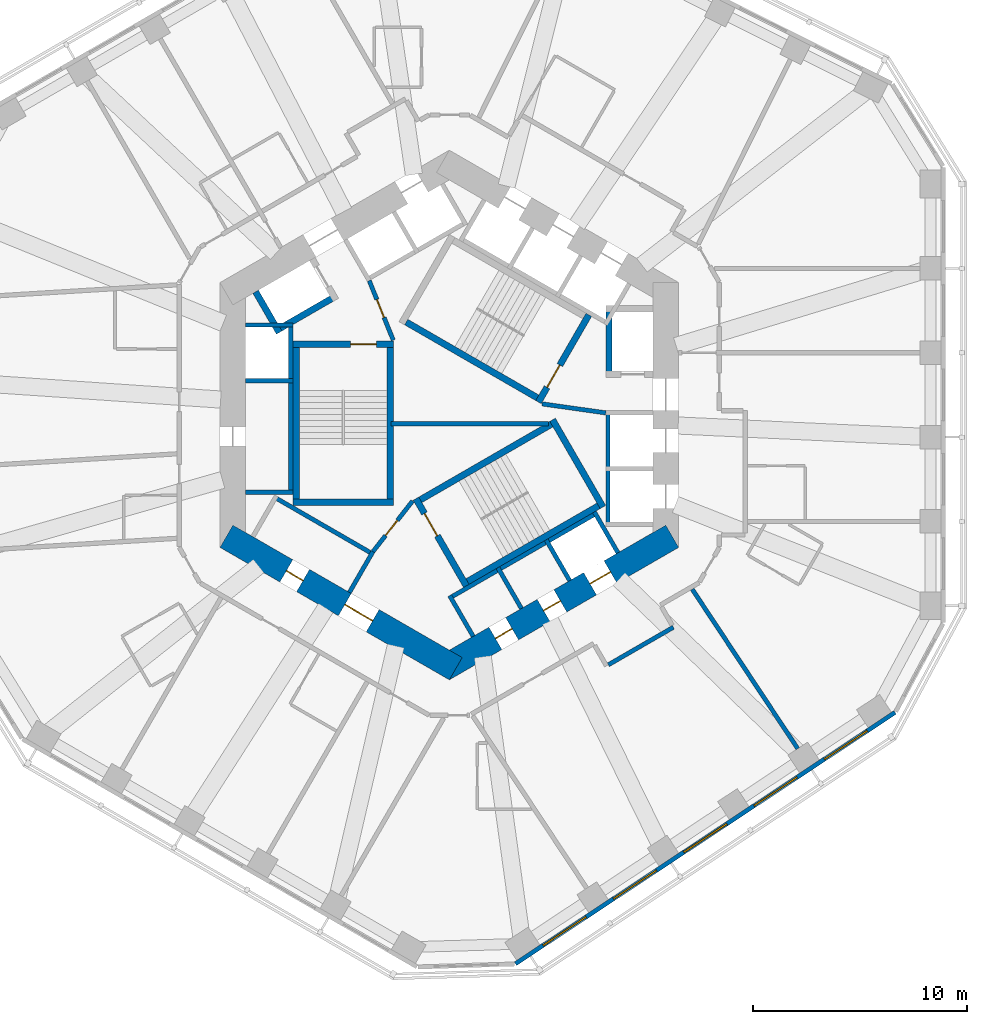
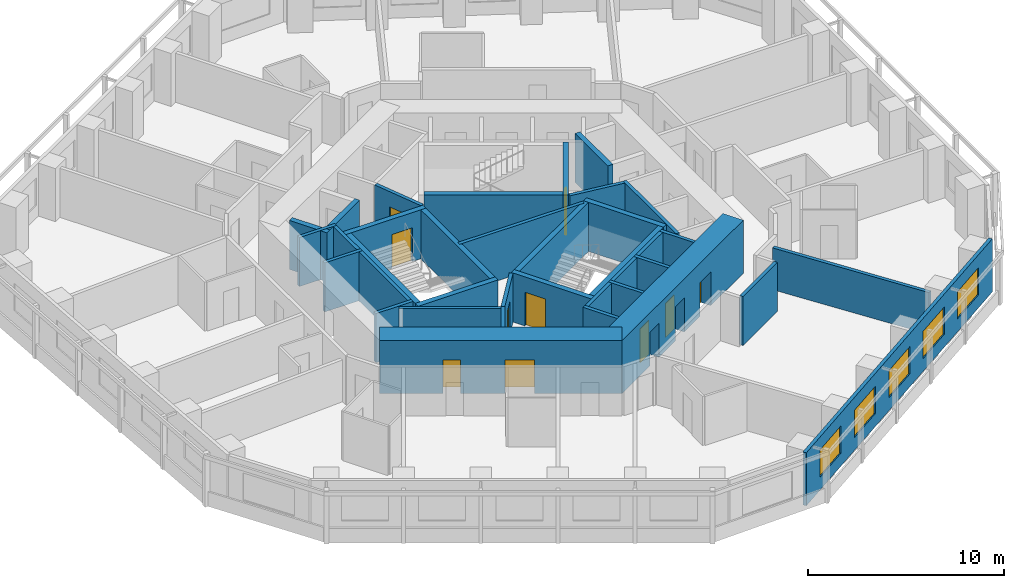
# One storey, part 5 of 11: 34 walls, 10 doors, 5 windows, 15 openings.
"""IFC4 building model written with IfcOpenShell, lengths in metres."""

import ifcopenshell
import ifcopenshell.guid

model = None  # the IFC model being written
_history = None  # IfcOwnerHistory: only IFC2X3 demands one
_inside = {}  # id of a spatial element -> (the spatial element, [elements in it])
_under = {}  # id of a project, library or spatial element -> (it, [spatial elements below it])
_declared = {}  # id of a project -> (the project, [libraries it declares])
_typed = {}  # id of a type object -> (the type object, [elements of that type])
_made_of = {}  # id of a material, layer set ... -> (it, [elements and type objects made of it])


def new_model(schema):
    """Start an empty IFC model of exactly this schema.

    Asked for "IFC4X3", IfcOpenShell would pick the latest addendum, in which some entities
    have other attributes; the version numbers below select the first issue.
    IFC2X3 requires an IfcOwnerHistory on every rooted entity: one is made here for all.
    """
    global model, _history
    if schema == "IFC4X3":
        model = ifcopenshell.file(schema_version=(4, 3, 0, 0))
    else:
        model = ifcopenshell.file(schema=schema)
    _inside.clear()
    _under.clear()
    _declared.clear()
    _typed.clear()
    _made_of.clear()
    _history = None
    if model.schema == "IFC2X3":
        org = make("IfcOrganization", Name="unknown")
        user = make(
            "IfcPersonAndOrganization",
            ThePerson=make("IfcPerson", FamilyName="unknown"),
            TheOrganization=org,
        )
        app = make(
            "IfcApplication",
            ApplicationDeveloper=org,
            Version="unknown",
            ApplicationFullName="unknown",
            ApplicationIdentifier="unknown",
        )
        _history = make(
            "IfcOwnerHistory",
            OwningUser=user,
            OwningApplication=app,
            ChangeAction="ADDED",
            CreationDate=0,
        )
    return model


def make(cls, **values):
    """One entity of the class cls with the attributes given. An attribute that is None is left unset."""
    return model.create_entity(
        cls, **{name: value for name, value in values.items() if value is not None}
    )


def rooted(cls, **values):
    """An entity with a GlobalId (a new one), such as an element, a storey or a relation."""
    return make(cls, GlobalId=ifcopenshell.guid.new(), OwnerHistory=_history, **values)


def si_unit(unit_type, name, prefix=None):
    """IfcSIUnit, for example si_unit("LENGTHUNIT", "METRE", prefix="MILLI")."""
    return make("IfcSIUnit", UnitType=unit_type, Prefix=prefix, Name=name)


def assignment(units):
    """IfcUnitAssignment: the units of a project."""
    return None if units is None else make("IfcUnitAssignment", Units=units)


def point(xyz):
    """IfcCartesianPoint."""
    return None if xyz is None else make("IfcCartesianPoint", Coordinates=xyz)


def direction(xyz):
    """IfcDirection."""
    return None if xyz is None else make("IfcDirection", DirectionRatios=xyz)


def frame(location, z_axis=None, x_axis=None):
    """IfcAxis2Placement3D, a coordinate frame: its origin and axes. An axis left out is left unset."""
    return make(
        "IfcAxis2Placement3D",
        Location=point(location),
        Axis=direction(z_axis),
        RefDirection=direction(x_axis),
    )


def frame_2d(location, x_axis=None):
    """IfcAxis2Placement2D, a coordinate frame in the plane: its origin and x axis."""
    return make(
        "IfcAxis2Placement2D", Location=point(location), RefDirection=direction(x_axis)
    )


def origin():
    """The frame at (0, 0, 0) with its axes left unset."""
    return frame((0.0, 0.0, 0.0))


def place(relative_to, where):
    """IfcLocalPlacement: puts the frame where relative to a parent placement (None: the world)."""
    return make(
        "IfcLocalPlacement", PlacementRelTo=relative_to, RelativePlacement=where
    )


def context(
    kind, dimensions, precision=None, world=None, true_north=None, identifier=None
):
    """IfcGeometricRepresentationContext, for example the 3D "Model" context."""
    return make(
        "IfcGeometricRepresentationContext",
        ContextIdentifier=identifier,
        ContextType=kind,
        CoordinateSpaceDimension=dimensions,
        Precision=precision,
        WorldCoordinateSystem=world,
        TrueNorth=true_north,
    )


def subcontext(parent, identifier, kind, view, scale=None):
    """IfcGeometricRepresentationSubContext, for example "Body" below "Model"."""
    return make(
        "IfcGeometricRepresentationSubContext",
        ContextIdentifier=identifier,
        ContextType=kind,
        ParentContext=parent,
        TargetScale=scale,
        TargetView=view,
    )


def project(units=None, contexts=None):
    """IfcProject with its units and contexts."""
    return rooted(
        "IfcProject",
        Name="project",
        RepresentationContexts=contexts,
        UnitsInContext=assignment(units),
    )


def spatial(cls, under=None, at=None, **own):
    """A site, building, storey or space (cls), placed at a placement, below another one or the project."""
    s = rooted(cls, ObjectPlacement=at, **own)
    if under is not None:
        _under.setdefault(under.id(), (under, []))[1].append(s)
    return s


def profile(cls, at=None, kind="AREA", **sizes):
    """A parametric profile (cls). Its sizes go by their IFC names, for example OverallWidth=200.0."""
    return make(cls, ProfileType=kind, Position=at, **sizes)


def rectangle(**sizes):
    """IfcRectangleProfileDef."""
    return profile("IfcRectangleProfileDef", **sizes)


def extrude(swept, where, along, depth):
    """IfcExtrudedAreaSolid: the profile swept, set in the frame where, extruded along a direction by depth."""
    return make(
        "IfcExtrudedAreaSolid",
        SweptArea=swept,
        Position=where,
        ExtrudedDirection=direction(along),
        Depth=depth,
    )


def shape(context_of_items, identifier, shape_type, items):
    """IfcShapeRepresentation: the items that make up one representation, for example the "Body"."""
    return make(
        "IfcShapeRepresentation",
        ContextOfItems=context_of_items,
        RepresentationIdentifier=identifier,
        RepresentationType=shape_type,
        Items=items,
    )


def material(Name=None, Category=None):
    """IfcMaterial."""
    return make("IfcMaterial", Name=Name, Category=Category)


def layer(
    of_material, thickness, ventilated=None, Name=None, Category=None, Priority=None
):
    """IfcMaterialLayer: one layer of a wall or slab, of a material (None: an air gap)."""
    return make(
        "IfcMaterialLayer",
        Material=of_material,
        LayerThickness=thickness,
        IsVentilated=ventilated,
        Name=Name,
        Category=Category,
        Priority=Priority,
    )


def layer_set(layers, Name=None):
    """IfcMaterialLayerSet."""
    return make("IfcMaterialLayerSet", MaterialLayers=layers, LayerSetName=Name)


def made_of(thing, what):
    """Note that an element or type object is made of a material, layer set ...; save() writes the relation."""
    if what is not None:
        _made_of.setdefault(what.id(), (what, []))[1].append(thing)
    return thing


def type_object(cls, material=None, **own):
    """A type object (cls), such as IfcWallType, which elements share."""
    return made_of(rooted(cls, **own), material)


def element(
    cls,
    number,
    at=None,
    inside=None,
    cuts=None,
    type_object=None,
    material=None,
    context=None,
    identifier="Body",
    shape_type=None,
    held_by="IfcProductDefinitionShape",
    body=None,
    shapes=None,
    **own,
):
    """One element of the class cls, such as IfcWall. Its Tag is "e" and its number.

    at: its placement. inside: the storey or other place that contains it. cuts: it is an
    opening in that element (IfcRelVoidsElement). A single representation is given by context,
    identifier, shape_type and body (its items); several are given by shapes. held_by: the class
    of the entity that holds the representations. save() writes the other relations.
    """
    e = rooted(cls, Tag="e%d" % number, ObjectPlacement=at, **own)
    if body is not None:
        shapes = [shape(context, identifier, shape_type, body)]
    if shapes is not None:
        e.Representation = make(held_by, Representations=shapes)
    if inside is not None:
        _inside.setdefault(inside.id(), (inside, []))[1].append(e)
    if cuts is not None:
        rooted(
            "IfcRelVoidsElement", RelatingBuildingElement=cuts, RelatedOpeningElement=e
        )
    if type_object is not None:
        _typed.setdefault(type_object.id(), (type_object, []))[1].append(e)
    return made_of(e, material)


def fill(opening, filler):
    """IfcRelFillsElement: the door or window that sits in an opening."""
    return rooted(
        "IfcRelFillsElement",
        RelatingOpeningElement=opening,
        RelatedBuildingElement=filler,
    )


def aggregate(whole, parts):
    """IfcRelAggregates: a whole, such as a stair, and the parts it consists of."""
    return rooted("IfcRelAggregates", RelatingObject=whole, RelatedObjects=parts)


def save(model, path):
    """Write the relations noted so far, then the file.

    IfcRelAggregates (storeys below a building ...), IfcRelContainedInSpatialStructure (elements
    in a storey), IfcRelDefinesByType, IfcRelAssociatesMaterial and IfcRelDeclares: one each for
    every whole, place, type object, material and project.
    """
    for whole, parts in _under.values():
        aggregate(whole, parts)
    for where, things in _inside.values():
        rooted(
            "IfcRelContainedInSpatialStructure",
            RelatedElements=things,
            RelatingStructure=where,
        )
    for kind, things in _typed.values():
        rooted("IfcRelDefinesByType", RelatedObjects=things, RelatingType=kind)
    for what, things in _made_of.values():
        rooted("IfcRelAssociatesMaterial", RelatedObjects=things, RelatingMaterial=what)
    for by, libraries in _declared.values():
        rooted("IfcRelDeclares", RelatingContext=by, RelatedDefinitions=libraries)
    model.write(path)


model = new_model("IFC4")

# Units and contexts
model_context = context("Model", 3, precision=1e-05, world=origin(), true_north=direction((0.0, 1.0)))
body_context = subcontext(model_context, "Body", "Model", "MODEL_VIEW")
ifc_project = project(units=[si_unit("LENGTHUNIT", "METRE"), si_unit("AREAUNIT", "SQUARE_METRE"), si_unit("VOLUMEUNIT", "CUBIC_METRE"), si_unit("PLANEANGLEUNIT", "RADIAN"), si_unit("MASSUNIT", "GRAM", prefix="KILO")], contexts=[model_context])

# Site, building, storey
site_placement = place(None, origin())
site = spatial("IfcSite", under=ifc_project, at=site_placement, CompositionType="ELEMENT")
building_placement = place(site_placement, origin())
building = spatial("IfcBuilding", under=site, at=building_placement, Name="Vanh Sen Convention Tower", CompositionType="ELEMENT")
storey_placement = place(building_placement, frame((0.0, 0.0, 96.800048828125)))
storey = spatial("IfcBuildingStorey", under=building, at=storey_placement, Name="L22", CompositionType="ELEMENT", Elevation=96.800048828125)

# Wall, openings, doors
ifc_material_1 = material(Name="Concrete C80/95", Category="concrete")
ifc_layer_1 = layer(ifc_material_1, 1.199951171875)
ifc_layer_set_1 = layer_set([ifc_layer_1], Name="Concrete C80/95")
wall_type_1 = type_object("IfcWallType", Name="Core outer wall 1200 C80/95", PredefinedType="SHEAR", material=ifc_layer_set_1)
wall_1_placement = place(storey_placement, frame((-10.39990234375, -5.657958984375, 0.0), z_axis=(0.0, 0.0, 1.0), x_axis=(0.866021384402, -0.500006961711, 0.0)))
wall_1 = element("IfcWall", 1, at=wall_1_placement, inside=storey, type_object=wall_type_1, Name="Core wall face SW L22", PredefinedType="SHEAR", context=body_context, shape_type="SweptSolid", body=[
    extrude(rectangle(XDim=12.355224609375, YDim=1.199951171875, at=frame_2d((6.177734375, 0.0))), origin(), (0.0, 0.0, 1.0), 3.300048828125),
])
opening_1_placement = place(wall_1_placement, frame((6.377685546875, 0.0, 0.0)))
opening_1 = element("IfcOpeningElement", 2, at=opening_1_placement, cuts=wall_1, Name="Opening D22003", PredefinedType="OPENING", context=body_context, shape_type="SweptSolid", body=[
    extrude(rectangle(XDim=1.5, YDim=2.10009765625, at=frame_2d((0.75, 1.050048828125))), frame((0.0, 0.60986328125, 0.0), z_axis=(0.0, -1.0, 0.0), x_axis=(1.0, 0.0, 0.0)), (0.0, 0.0, 1.0), 1.219970703125),
])
opening_2_placement = place(wall_1_placement, frame((3.227783203125, 0.0, 0.0)))
opening_2 = element("IfcOpeningElement", 3, at=opening_2_placement, cuts=wall_1, Name="Opening D22010", PredefinedType="OPENING", context=body_context, shape_type="SweptSolid", body=[
    extrude(rectangle(XDim=0.89990234375, YDim=2.10009765625, at=frame_2d((0.449951171875, 1.050048828125))), frame((0.0, 0.60986328125, 0.0), z_axis=(0.0, -1.0, 0.0), x_axis=(1.0, 0.0, 0.0)), (0.0, 0.0, 1.0), 1.219970703125),
])
ifc_material_2 = material(Name="Steel S355", Category="steel")
door_type_1 = type_object("IfcDoorType", Name="Plant door 900", OperationType="SINGLE_SWING_LEFT", PredefinedType="DOOR", material=ifc_material_2)
door_1_placement = place(opening_2_placement, origin())
door_1 = element("IfcDoor", 4, at=door_1_placement, inside=storey, type_object=door_type_1, Name="Plant door D22010", OperationType="SINGLE_SWING_LEFT", OverallHeight=2.10009765625, OverallWidth=0.89990234375, PredefinedType="DOOR", context=body_context, shape_type="SweptSolid", body=[
    extrude(rectangle(XDim=0.89990234375, YDim=2.10009765625, at=frame_2d((0.449951171875, 1.050048828125))), frame((0.0, 0.02490234375, 0.0), z_axis=(0.0, -1.0, 0.0), x_axis=(1.0, 0.0, 0.0)), (0.0, 0.0, 1.0), 0.050048828125),
])
fill(opening_2, door_1)
door_type_2 = type_object("IfcDoorType", Name="Stair lobby door 1500", OperationType="DOUBLE_DOOR_SINGLE_SWING", PredefinedType="DOOR", material=ifc_material_2)
door_2_placement = place(opening_1_placement, origin())
door_2 = element("IfcDoor", 5, at=door_2_placement, inside=storey, type_object=door_type_2, Name="Stair lobby door D22003", OperationType="DOUBLE_DOOR_SINGLE_SWING", OverallHeight=2.10009765625, OverallWidth=1.5, PredefinedType="DOOR", context=body_context, shape_type="SweptSolid", body=[
    extrude(rectangle(XDim=1.5, YDim=2.10009765625, at=frame_2d((0.75, 1.050048828125))), frame((0.0, 0.02490234375, 0.0), z_axis=(0.0, -1.0, 0.0), x_axis=(1.0, 0.0, 0.0)), (0.0, 0.0, 1.0), 0.050048828125),
])
fill(opening_1, door_2)

wall_2_placement = place(storey_placement, frame((-0.300048828125, -11.835693359375, 0.0), z_axis=(0.0, 0.0, 1.0), x_axis=(0.866021384402, 0.500006961711, 0.0)))
wall_2 = element("IfcWall", 6, at=wall_2_placement, inside=storey, type_object=wall_type_1, Name="Core wall face SE L22", PredefinedType="SHEAR", context=body_context, shape_type="SweptSolid", body=[
    extrude(rectangle(XDim=12.355224609375, YDim=1.199951171875, at=frame_2d((6.177734375, 0.0))), origin(), (0.0, 0.0, 1.0), 3.300048828125),
])
opening_3_placement = place(wall_2_placement, frame((2.82763671875, 0.0, 0.0)))
opening_3 = element("IfcOpeningElement", 7, at=opening_3_placement, cuts=wall_2, Name="Opening D22011", PredefinedType="OPENING", context=body_context, shape_type="SweptSolid", body=[
    extrude(rectangle(XDim=0.89990234375, YDim=2.10009765625, at=frame_2d((0.449951171875, 1.050048828125))), frame((0.0, 0.60986328125, 0.0), z_axis=(0.0, -1.0, 0.0), x_axis=(1.0, 0.0, 0.0)), (0.0, 0.0, 1.0), 1.219970703125),
])
opening_4_placement = place(wall_2_placement, frame((5.427734375, 0.0, 0.0)))
opening_4 = element("IfcOpeningElement", 8, at=opening_4_placement, cuts=wall_2, Name="Opening D22012", PredefinedType="OPENING", context=body_context, shape_type="SweptSolid", body=[
    extrude(rectangle(XDim=0.89990234375, YDim=2.10009765625, at=frame_2d((0.449951171875, 1.050048828125))), frame((0.0, 0.60986328125, 0.0), z_axis=(0.0, -1.0, 0.0), x_axis=(1.0, 0.0, 0.0)), (0.0, 0.0, 1.0), 1.219970703125),
])
opening_5_placement = place(wall_2_placement, frame((7.927734375, 0.0, 0.0)))
opening_5 = element("IfcOpeningElement", 9, at=opening_5_placement, cuts=wall_2, Name="Opening LD-SV1", PredefinedType="OPENING", context=body_context, shape_type="SweptSolid", body=[
    extrude(rectangle(XDim=1.10009765625, YDim=2.10009765625, at=frame_2d((0.550048828125, 1.050048828125))), frame((0.0, 0.60986328125, 0.0), z_axis=(0.0, -1.0, 0.0), x_axis=(1.0, 0.0, 0.0)), (0.0, 0.0, 1.0), 1.219970703125),
])
ifc_material_3 = material(Name="Stainless steel", Category="steel")
door_type_3 = type_object("IfcDoorType", Name="Lift landing door 1100", OperationType="DOUBLE_DOOR_SLIDING", PredefinedType="DOOR", material=ifc_material_3)
door_3_placement = place(opening_5_placement, origin())
door_3 = element("IfcDoor", 10, at=door_3_placement, inside=storey, type_object=door_type_3, Name="Lift SV1 landing door LD-SV1", OperationType="DOUBLE_DOOR_SLIDING", OverallHeight=2.10009765625, OverallWidth=1.10009765625, PredefinedType="DOOR", context=body_context, shape_type="SweptSolid", body=[
    extrude(rectangle(XDim=1.10009765625, YDim=2.10009765625, at=frame_2d((0.550048828125, 1.050048828125))), frame((0.0, 0.02490234375, 0.0), z_axis=(0.0, -1.0, 0.0), x_axis=(1.0, 0.0, 0.0)), (0.0, 0.0, 1.0), 0.050048828125),
])
fill(opening_5, door_3)
door_4_placement = place(opening_3_placement, origin())
door_4 = element("IfcDoor", 11, at=door_4_placement, inside=storey, type_object=door_type_1, Name="Plant door D22011", OperationType="SINGLE_SWING_LEFT", OverallHeight=2.10009765625, OverallWidth=0.89990234375, PredefinedType="DOOR", context=body_context, shape_type="SweptSolid", body=[
    extrude(rectangle(XDim=0.89990234375, YDim=2.10009765625, at=frame_2d((0.449951171875, 1.050048828125))), frame((0.0, 0.02490234375, 0.0), z_axis=(0.0, -1.0, 0.0), x_axis=(1.0, 0.0, 0.0)), (0.0, 0.0, 1.0), 0.050048828125),
])
fill(opening_3, door_4)
door_5_placement = place(opening_4_placement, origin())
door_5 = element("IfcDoor", 12, at=door_5_placement, inside=storey, type_object=door_type_1, Name="Plant door D22012", OperationType="SINGLE_SWING_LEFT", OverallHeight=2.10009765625, OverallWidth=0.89990234375, PredefinedType="DOOR", context=body_context, shape_type="SweptSolid", body=[
    extrude(rectangle(XDim=0.89990234375, YDim=2.10009765625, at=frame_2d((0.449951171875, 1.050048828125))), frame((0.0, 0.02490234375, 0.0), z_axis=(0.0, -1.0, 0.0), x_axis=(1.0, 0.0, 0.0)), (0.0, 0.0, 1.0), 0.050048828125),
])
fill(opening_4, door_5)

# Walls
ifc_material_4 = material(Name="Masonry blockwork", Category="masonry")
ifc_layer_2 = layer(ifc_material_4, 0.199951171875)
ifc_layer_set_2 = layer_set([ifc_layer_2], Name="Masonry blockwork")
wall_type_2 = type_object("IfcWallType", Name="Core partition 200", PredefinedType="PARTITIONING", material=ifc_layer_set_2)
wall_3_placement = place(storey_placement, frame((-2.719970703125, -0.39990234375, 0.0), z_axis=(0.0, 0.0, 1.0), x_axis=(1.0, 0.0, 0.0)))
element("IfcWall", 13, at=wall_3_placement, inside=storey, type_object=wall_type_2, Name="Core partition L22", PredefinedType="PARTITIONING", context=body_context, shape_type="SweptSolid", body=[
    extrude(rectangle(XDim=7.34716796875, YDim=0.199951171875, at=frame_2d((3.673583984375, 0.0))), origin(), (0.0, 0.0, 1.0), 3.050048828125),
])
ifc_material_5 = material(Name="Gypsum board on steel studs with mineral wool", Category="steel")
ifc_layer_3 = layer(ifc_material_5, 0.199951171875)
ifc_layer_set_3 = layer_set([ifc_layer_3], Name="Gypsum board on steel studs with mineral wool")
wall_type_3 = type_object("IfcWallType", Name="Corridor partition wall 200", PredefinedType="PARTITIONING", material=ifc_layer_set_3)
wall_4_placement = place(storey_placement, frame((7.419189453125, -11.652587890625, 0.0), z_axis=(0.0, 0.0, 1.0), x_axis=(0.866038154057, 0.49997791523, 0.0)))
element("IfcWall", 14, at=wall_4_placement, inside=storey, type_object=wall_type_3, Name="Corridor partition wall 200", PredefinedType="PARTITIONING", context=body_context, shape_type="SweptSolid", body=[
    extrude(rectangle(XDim=3.502197265625, YDim=0.199951171875, at=frame_2d((1.7509765625, 0.0))), origin(), (0.0, 0.0, 1.0), 3.050048828125),
])

# Wall, openings, windows
ifc_material_6 = material(Name="Insulated lightweight infill wall")
ifc_layer_4 = layer(ifc_material_6, 0.199951171875)
ifc_layer_set_4 = layer_set([ifc_layer_4], Name="Insulated lightweight infill wall")
wall_type_4 = type_object("IfcWallType", Name="External wall 200", PredefinedType="STANDARD", material=ifc_layer_set_4)
wall_5_placement = place(storey_placement, frame((3.0830078125, -25.60107421875, 0.0), z_axis=(0.0, 0.0, 1.0), x_axis=(0.833884295743, 0.551939291329, 0.0)))
wall_5 = element("IfcWall", 15, at=wall_5_placement, inside=storey, type_object=wall_type_4, Name="External wall SE L22", PredefinedType="STANDARD", context=body_context, shape_type="SweptSolid", body=[
    extrude(rectangle(XDim=21.24609375, YDim=0.199951171875, at=frame_2d((10.623046875, 0.0))), origin(), (0.0, 0.0, 1.0), 3.300048828125),
])
opening_6_placement = place(wall_5_placement, frame((1.552978515625, 0.0, 0.800048828125)))
opening_6 = element("IfcOpeningElement", 16, at=opening_6_placement, cuts=wall_5, Name="Opening WH1-SE1", PredefinedType="OPENING", context=body_context, shape_type="SweptSolid", body=[
    extrude(rectangle(XDim=2.39990234375, YDim=1.699951171875, at=frame_2d((1.199951171875, 0.85009765625))), frame((0.0, 0.10986328125, 0.0), z_axis=(0.0, -1.0, 0.0), x_axis=(1.0, 0.0, 0.0)), (0.0, 0.0, 1.0), 0.219970703125),
])
opening_7_placement = place(wall_5_placement, frame((5.487548828125, 0.0, 0.800048828125)))
opening_7 = element("IfcOpeningElement", 17, at=opening_7_placement, cuts=wall_5, Name="Opening WH1-SE2", PredefinedType="OPENING", context=body_context, shape_type="SweptSolid", body=[
    extrude(rectangle(XDim=2.39990234375, YDim=1.699951171875, at=frame_2d((1.199951171875, 0.85009765625))), frame((0.0, 0.10986328125, 0.0), z_axis=(0.0, -1.0, 0.0), x_axis=(1.0, 0.0, 0.0)), (0.0, 0.0, 1.0), 0.219970703125),
])
opening_8_placement = place(wall_5_placement, frame((9.422119140625, 0.0, 0.800048828125)))
opening_8 = element("IfcOpeningElement", 18, at=opening_8_placement, cuts=wall_5, Name="Opening WH1-SE3", PredefinedType="OPENING", context=body_context, shape_type="SweptSolid", body=[
    extrude(rectangle(XDim=2.39990234375, YDim=1.699951171875, at=frame_2d((1.199951171875, 0.85009765625))), frame((0.0, 0.10986328125, 0.0), z_axis=(0.0, -1.0, 0.0), x_axis=(1.0, 0.0, 0.0)), (0.0, 0.0, 1.0), 0.219970703125),
])
opening_9_placement = place(wall_5_placement, frame((13.356689453125, 0.0, 0.800048828125)))
opening_9 = element("IfcOpeningElement", 19, at=opening_9_placement, cuts=wall_5, Name="Opening WH1-SE4", PredefinedType="OPENING", context=body_context, shape_type="SweptSolid", body=[
    extrude(rectangle(XDim=2.39990234375, YDim=1.699951171875, at=frame_2d((1.199951171875, 0.85009765625))), frame((0.0, 0.10986328125, 0.0), z_axis=(0.0, -1.0, 0.0), x_axis=(1.0, 0.0, 0.0)), (0.0, 0.0, 1.0), 0.219970703125),
])
opening_10_placement = place(wall_5_placement, frame((17.291259765625, 0.0, 0.800048828125)))
opening_10 = element("IfcOpeningElement", 20, at=opening_10_placement, cuts=wall_5, Name="Opening WH1-SE5", PredefinedType="OPENING", context=body_context, shape_type="SweptSolid", body=[
    extrude(rectangle(XDim=2.39990234375, YDim=1.699951171875, at=frame_2d((1.199951171875, 0.85009765625))), frame((0.0, 0.10986328125, 0.0), z_axis=(0.0, -1.0, 0.0), x_axis=(1.0, 0.0, 0.0)), (0.0, 0.0, 1.0), 0.219970703125),
])
ifc_material_7 = material(Name="Aluminium frame with clear low-emissivity glass", Category="aluminium")
window_type = type_object("IfcWindowType", Name="Hotel window 2400 x 1700", PartitioningType="SINGLE_PANEL", PredefinedType="WINDOW", material=ifc_material_7)
window_1_placement = place(opening_6_placement, origin())
window_1 = element("IfcWindow", 21, at=window_1_placement, inside=storey, type_object=window_type, Name="Window WH1-SE1", OverallHeight=1.699951171875, OverallWidth=2.39990234375, PartitioningType="SINGLE_PANEL", PredefinedType="WINDOW", context=body_context, shape_type="SweptSolid", body=[
    extrude(rectangle(XDim=2.39990234375, YDim=1.699951171875, at=frame_2d((1.199951171875, 0.85009765625))), frame((0.0, 0.030029296875, 0.0), z_axis=(0.0, -1.0, 0.0), x_axis=(1.0, 0.0, 0.0)), (0.0, 0.0, 1.0), 0.06005859375),
])
fill(opening_6, window_1)
window_2_placement = place(opening_7_placement, origin())
window_2 = element("IfcWindow", 22, at=window_2_placement, inside=storey, type_object=window_type, Name="Window WH1-SE2", OverallHeight=1.699951171875, OverallWidth=2.39990234375, PartitioningType="SINGLE_PANEL", PredefinedType="WINDOW", context=body_context, shape_type="SweptSolid", body=[
    extrude(rectangle(XDim=2.39990234375, YDim=1.699951171875, at=frame_2d((1.199951171875, 0.85009765625))), frame((0.0, 0.030029296875, 0.0), z_axis=(0.0, -1.0, 0.0), x_axis=(1.0, 0.0, 0.0)), (0.0, 0.0, 1.0), 0.06005859375),
])
fill(opening_7, window_2)
window_3_placement = place(opening_8_placement, origin())
window_3 = element("IfcWindow", 23, at=window_3_placement, inside=storey, type_object=window_type, Name="Window WH1-SE3", OverallHeight=1.699951171875, OverallWidth=2.39990234375, PartitioningType="SINGLE_PANEL", PredefinedType="WINDOW", context=body_context, shape_type="SweptSolid", body=[
    extrude(rectangle(XDim=2.39990234375, YDim=1.699951171875, at=frame_2d((1.199951171875, 0.85009765625))), frame((0.0, 0.030029296875, 0.0), z_axis=(0.0, -1.0, 0.0), x_axis=(1.0, 0.0, 0.0)), (0.0, 0.0, 1.0), 0.06005859375),
])
fill(opening_8, window_3)
window_4_placement = place(opening_9_placement, origin())
window_4 = element("IfcWindow", 24, at=window_4_placement, inside=storey, type_object=window_type, Name="Window WH1-SE4", OverallHeight=1.699951171875, OverallWidth=2.39990234375, PartitioningType="SINGLE_PANEL", PredefinedType="WINDOW", context=body_context, shape_type="SweptSolid", body=[
    extrude(rectangle(XDim=2.39990234375, YDim=1.699951171875, at=frame_2d((1.199951171875, 0.85009765625))), frame((0.0, 0.030029296875, 0.0), z_axis=(0.0, -1.0, 0.0), x_axis=(1.0, 0.0, 0.0)), (0.0, 0.0, 1.0), 0.06005859375),
])
fill(opening_9, window_4)
window_5_placement = place(opening_10_placement, origin())
window_5 = element("IfcWindow", 25, at=window_5_placement, inside=storey, type_object=window_type, Name="Window WH1-SE5", OverallHeight=1.699951171875, OverallWidth=2.39990234375, PartitioningType="SINGLE_PANEL", PredefinedType="WINDOW", context=body_context, shape_type="SweptSolid", body=[
    extrude(rectangle(XDim=2.39990234375, YDim=1.699951171875, at=frame_2d((1.199951171875, 0.85009765625))), frame((0.0, 0.030029296875, 0.0), z_axis=(0.0, -1.0, 0.0), x_axis=(1.0, 0.0, 0.0)), (0.0, 0.0, 1.0), 0.06005859375),
])
fill(opening_10, window_5)

# Walls
ifc_material_8 = material(Name="Concrete C60/75", Category="concrete")
ifc_layer_5 = layer(ifc_material_8, 0.300048828125)
ifc_layer_set_5 = layer_set([ifc_layer_5], Name="Concrete C60/75")
wall_type_5 = type_object("IfcWallType", Name="Fire-fighting lift shaft wall 300", PredefinedType="SHEAR", material=ifc_layer_set_5)
wall_6_placement = place(storey_placement, frame((7.449951171875, 1.75, 0.0), z_axis=(0.0, 0.0, 1.0), x_axis=(0.0, 1.0, 0.0)))
element("IfcWall", 26, at=wall_6_placement, inside=storey, type_object=wall_type_5, Name="Fire-fighting lift shaft wall L22", PredefinedType="SHEAR", context=body_context, shape_type="SweptSolid", body=[
    extrude(rectangle(XDim=3.35009765625, YDim=0.300048828125, at=frame_2d((1.675048828125, 0.0))), origin(), (0.0, 0.0, 1.0), 3.050048828125),
])
wall_7_placement = place(storey_placement, frame((-5.240478515625, 5.576904296875, 0.0), z_axis=(0.0, 0.0, 1.0), x_axis=(-0.866014461049, -0.500018952895, 0.0)))
element("IfcWall", 27, at=wall_7_placement, inside=storey, type_object=wall_type_5, Name="Fire-fighting lift shaft wall L22", PredefinedType="SHEAR", context=body_context, shape_type="SweptSolid", body=[
    extrude(rectangle(XDim=3.349853515625, YDim=0.300048828125, at=frame_2d((1.6748046875, 0.0))), origin(), (0.0, 0.0, 1.0), 3.050048828125),
])
wall_8_placement = place(storey_placement, frame((-7.936767578125, 3.846923828125, 0.0), z_axis=(0.0, 0.0, 1.0), x_axis=(-0.50002983664, 0.866008176907, 0.0)))
element("IfcWall", 28, at=wall_8_placement, inside=storey, type_object=wall_type_5, Name="Fire-fighting lift shaft wall L22", PredefinedType="SHEAR", context=body_context, shape_type="SweptSolid", body=[
    extrude(rectangle(XDim=2.199951171875, YDim=0.300048828125, at=frame_2d((1.10009765625, 0.0))), origin(), (0.0, 0.0, 1.0), 3.050048828125),
])
ifc_layer_6 = layer(ifc_material_5, 0.199951171875)
ifc_layer_set_6 = layer_set([ifc_layer_6], Name="Gypsum board on steel studs with mineral wool")
wall_type_6 = type_object("IfcWallType", Name="Hotel party wall 200", PredefinedType="PARTITIONING", material=ifc_layer_set_6)
wall_9_placement = place(storey_placement, frame((16.2548828125, -15.563720703125, 0.0), z_axis=(0.0, 0.0, 1.0), x_axis=(-0.55192208744, 0.833895682562, 0.0)))
element("IfcWall", 29, at=wall_9_placement, inside=storey, type_object=wall_type_6, Name="Hotel party wall 200", PredefinedType="PARTITIONING", context=body_context, shape_type="SweptSolid", body=[
    extrude(rectangle(XDim=8.912841796875, YDim=0.199951171875, at=frame_2d((4.45654296875, 0.0))), origin(), (0.0, 0.0, 1.0), 2.599853515625),
])
ifc_material_9 = material(Name="Concrete C40/50", Category="concrete")
ifc_layer_7 = layer(ifc_material_9, 0.199951171875)
ifc_layer_set_7 = layer_set([ifc_layer_7], Name="Concrete C40/50")
wall_type_7 = type_object("IfcWallType", Name="Lift shaft wall 200", PredefinedType="PARTITIONING", material=ifc_layer_set_7)
wall_10_placement = place(storey_placement, frame((7.39990234375, -5.199951171875, 0.0), z_axis=(0.0, 0.0, 1.0), x_axis=(0.0, 1.0, 0.0)))
element("IfcWall", 30, at=wall_10_placement, inside=storey, type_object=wall_type_7, Name="Lift shaft wall L22", PredefinedType="PARTITIONING", context=body_context, shape_type="SweptSolid", body=[
    extrude(rectangle(XDim=5.39990234375, YDim=0.199951171875, at=frame_2d((2.699951171875, 0.0))), origin(), (0.0, 0.0, 1.0), 3.050048828125),
])
wall_11_placement = place(storey_placement, frame((-7.39990234375, 4.300048828125, 0.0), z_axis=(0.0, 0.0, 1.0), x_axis=(0.0, -1.0, 0.0)))
element("IfcWall", 31, at=wall_11_placement, inside=storey, type_object=wall_type_7, Name="Lift shaft wall L22", PredefinedType="PARTITIONING", context=body_context, shape_type="SweptSolid", body=[
    extrude(rectangle(XDim=8.0, YDim=0.199951171875, at=frame_2d((4.0, 0.0))), origin(), (0.0, 0.0, 1.0), 3.050048828125),
])
for number, where, z_axis, x_axis, name in (
    (32, (-7.300048828125, 4.199951171875, 0.0), (0.0, 0.0, 1.0), (-1.0, 0.0, 0.0), "Lift shaft wall L22"),
    (33, (-7.300048828125, 1.60009765625, 0.0), (0.0, 0.0, 1.0), (-1.0, 0.0, 0.0), "Lift shaft wall L22"),
    (34, (-7.300048828125, -3.60009765625, 0.0), (0.0, 0.0, 1.0), (-1.0, 0.0, 0.0), "Lift shaft wall L22"),
):
    element("IfcWall", number, at=place(storey_placement, frame(where, z_axis=z_axis, x_axis=x_axis)), inside=storey, type_object=wall_type_7, Name=name, PredefinedType="PARTITIONING", context=body_context, shape_type="SweptSolid", body=[
        extrude(rectangle(XDim=2.199951171875, YDim=0.199951171875, at=frame_2d((1.10009765625, 0.0))), origin(), (0.0, 0.0, 1.0), 3.050048828125),
    ])
wall_12_placement = place(storey_placement, frame((-8.203369140625, -3.80859375, 0.0), z_axis=(0.0, 0.0, 1.0), x_axis=(0.866028230842, -0.499995103361, 0.0)))
element("IfcWall", 35, at=wall_12_placement, inside=storey, type_object=wall_type_7, Name="Lift shaft wall L22", PredefinedType="PARTITIONING", context=body_context, shape_type="SweptSolid", body=[
    extrude(rectangle(XDim=5.39990234375, YDim=0.199951171875, at=frame_2d((2.699951171875, 0.0))), origin(), (0.0, 0.0, 1.0), 3.050048828125),
])
wall_13_placement = place(storey_placement, frame((-3.5634765625, -6.3720703125, 0.0), z_axis=(0.0, 0.0, 1.0), x_axis=(-0.499994660107, -0.866028486751, 0.0)))
element("IfcWall", 36, at=wall_13_placement, inside=storey, type_object=wall_type_7, Name="Lift shaft wall L22", PredefinedType="PARTITIONING", context=body_context, shape_type="SweptSolid", body=[
    extrude(rectangle(XDim=2.19970703125, YDim=0.199951171875, at=frame_2d((1.099853515625, 0.0))), origin(), (0.0, 0.0, 1.0), 3.050048828125),
])
wall_14_placement = place(storey_placement, frame((-0.02392578125, -8.55859375, 0.0), z_axis=(0.0, 0.0, 1.0), x_axis=(0.866026010844, 0.49999894854, 0.0)))
element("IfcWall", 37, at=wall_14_placement, inside=storey, type_object=wall_type_7, Name="Lift shaft wall L22", PredefinedType="PARTITIONING", context=body_context, shape_type="SweptSolid", body=[
    extrude(rectangle(XDim=8.0, YDim=0.199951171875, at=frame_2d((4.0, 0.0))), origin(), (0.0, 0.0, 1.0), 3.050048828125),
])
for number, where, z_axis, x_axis, name in (
    (38, (0.0126953125, -8.422119140625, 0.0), (0.0, 0.0, 1.0), (0.500077893725, -0.86598042715, 0.0), "Lift shaft wall L22"),
    (39, (2.264404296875, -7.1220703125, 0.0), (0.0, 0.0, 1.0), (0.500077893725, -0.86598042715, 0.0), "Lift shaft wall L22"),
    (40, (4.51611328125, -5.822021484375, 0.0), (0.0, 0.0, 1.0), (0.499946605688, -0.86605622881, 0.0), "Lift shaft wall L22"),
    (41, (6.767578125, -4.52197265625, 0.0), (0.0, 0.0, 1.0), (0.50002983664, -0.866008176907, 0.0), "Lift shaft wall L22"),
):
    element("IfcWall", number, at=place(storey_placement, frame(where, z_axis=z_axis, x_axis=x_axis)), inside=storey, type_object=wall_type_7, Name=name, PredefinedType="PARTITIONING", context=body_context, shape_type="SweptSolid", body=[
        extrude(rectangle(XDim=2.199951171875, YDim=0.199951171875, at=frame_2d((1.10009765625, 0.0))), origin(), (0.0, 0.0, 1.0), 3.050048828125),
    ])
ifc_layer_8 = layer(ifc_material_9, 0.199951171875)
ifc_layer_set_8 = layer_set([ifc_layer_8], Name="Concrete C40/50")
wall_type_8 = type_object("IfcWallType", Name="Stair lobby wall 200", PredefinedType="PARTITIONING", material=ifc_layer_set_8)
wall_15_placement = place(storey_placement, frame((4.327392578125, 0.52099609375, 0.0), z_axis=(0.0, 0.0, 1.0), x_axis=(0.990124376366, -0.14019172346, 0.0)))
element("IfcWall", 42, at=wall_15_placement, inside=storey, type_object=wall_type_8, Name="Stair lobby wall L22", PredefinedType="PARTITIONING", context=body_context, shape_type="SweptSolid", body=[
    extrude(rectangle(XDim=3.002197265625, YDim=0.199951171875, at=frame_2d((1.5009765625, 0.0))), origin(), (0.0, 0.0, 1.0), 3.050048828125),
])

# Wall, opening, door
wall_16_placement = place(storey_placement, frame((-2.614990234375, 3.487060546875, 0.0), z_axis=(0.0, 0.0, 1.0), x_axis=(-0.373576831041, 0.92759924068, 0.0)))
wall_16 = element("IfcWall", 43, at=wall_16_placement, inside=storey, type_object=wall_type_8, Name="Stair lobby wall L22", PredefinedType="PARTITIONING", context=body_context, shape_type="SweptSolid", body=[
    extrude(rectangle(XDim=3.002197265625, YDim=0.199951171875, at=frame_2d((1.5009765625, 0.0))), origin(), (0.0, 0.0, 1.0), 3.050048828125),
])
opening_11_placement = place(wall_16_placement, frame((1.14990234375, 0.0, 0.0)))
opening_11 = element("IfcOpeningElement", 44, at=opening_11_placement, cuts=wall_16, Name="Opening D22007", PredefinedType="OPENING", context=body_context, shape_type="SweptSolid", body=[
    extrude(rectangle(XDim=0.89990234375, YDim=2.10009765625, at=frame_2d((0.449951171875, 1.050048828125))), frame((0.0, 0.10986328125, 0.0), z_axis=(0.0, -1.0, 0.0), x_axis=(1.0, 0.0, 0.0)), (0.0, 0.0, 1.0), 0.219970703125),
])
door_6_placement = place(opening_11_placement, origin())
door_6 = element("IfcDoor", 45, at=door_6_placement, inside=storey, type_object=door_type_1, Name="Plant door D22007", OperationType="SINGLE_SWING_LEFT", OverallHeight=2.10009765625, OverallWidth=0.89990234375, PredefinedType="DOOR", context=body_context, shape_type="SweptSolid", body=[
    extrude(rectangle(XDim=0.89990234375, YDim=2.10009765625, at=frame_2d((0.449951171875, 1.050048828125))), frame((0.0, 0.02490234375, 0.0), z_axis=(0.0, -1.0, 0.0), x_axis=(1.0, 0.0, 0.0)), (0.0, 0.0, 1.0), 0.050048828125),
])
fill(opening_11, door_6)

wall_17_placement = place(storey_placement, frame((-1.71240234375, -4.00830078125, 0.0), z_axis=(0.0, 0.0, 1.0), x_axis=(-0.616549420702, -0.787316208287, 0.0)))
wall_17 = element("IfcWall", 46, at=wall_17_placement, inside=storey, type_object=wall_type_8, Name="Stair lobby wall L22", PredefinedType="PARTITIONING", context=body_context, shape_type="SweptSolid", body=[
    extrude(rectangle(XDim=3.002197265625, YDim=0.199951171875, at=frame_2d((1.5009765625, 0.0))), origin(), (0.0, 0.0, 1.0), 3.050048828125),
])
opening_12_placement = place(wall_17_placement, frame((1.14990234375, 0.0, 0.0)))
opening_12 = element("IfcOpeningElement", 47, at=opening_12_placement, cuts=wall_17, Name="Opening D22008", PredefinedType="OPENING", context=body_context, shape_type="SweptSolid", body=[
    extrude(rectangle(XDim=0.89990234375, YDim=2.10009765625, at=frame_2d((0.449951171875, 1.050048828125))), frame((0.0, 0.10986328125, 0.0), z_axis=(0.0, -1.0, 0.0), x_axis=(1.0, 0.0, 0.0)), (0.0, 0.0, 1.0), 0.219970703125),
])
door_7_placement = place(opening_12_placement, origin())
door_7 = element("IfcDoor", 48, at=door_7_placement, inside=storey, type_object=door_type_1, Name="Plant door D22008", OperationType="SINGLE_SWING_LEFT", OverallHeight=2.10009765625, OverallWidth=0.89990234375, PredefinedType="DOOR", context=body_context, shape_type="SweptSolid", body=[
    extrude(rectangle(XDim=0.89990234375, YDim=2.10009765625, at=frame_2d((0.449951171875, 1.050048828125))), frame((0.0, 0.02490234375, 0.0), z_axis=(0.0, -1.0, 0.0), x_axis=(1.0, 0.0, 0.0)), (0.0, 0.0, 1.0), 0.050048828125),
])
fill(opening_12, door_7)

ifc_layer_9 = layer(ifc_material_8, 0.300048828125)
ifc_layer_set_9 = layer_set([ifc_layer_9], Name="Concrete C60/75")
wall_type_9 = type_object("IfcWallType", Name="Stair wall 300", PredefinedType="SHEAR", material=ifc_layer_set_9)
wall_18_placement = place(storey_placement, frame((4.157958984375, 0.601806640625, 0.0), z_axis=(0.0, 0.0, 1.0), x_axis=(0.499977259774, 0.866038532462, 0.0)))
wall_18 = element("IfcWall", 49, at=wall_18_placement, inside=storey, type_object=wall_type_9, Name="Stair wall L22", PredefinedType="SHEAR", context=body_context, shape_type="SweptSolid", body=[
    extrude(rectangle(XDim=4.699951171875, YDim=0.300048828125, at=frame_2d((2.35009765625, 0.0))), origin(), (0.0, 0.0, 1.0), 3.050048828125),
])
opening_13_placement = place(wall_18_placement, frame((0.800048828125, 0.0, 0.0)))
opening_13 = element("IfcOpeningElement", 50, at=opening_13_placement, cuts=wall_18, Name="Opening D22004", PredefinedType="OPENING", context=body_context, shape_type="SweptSolid", body=[
    extrude(rectangle(XDim=1.199951171875, YDim=2.10009765625, at=frame_2d((0.60009765625, 1.050048828125))), frame((0.0, 0.159912109375, 0.0), z_axis=(0.0, -1.0, 0.0), x_axis=(1.0, 0.0, 0.0)), (0.0, 0.0, 1.0), 0.320068359375),
])
door_type_4 = type_object("IfcDoorType", Name="Stair door 1200", OperationType="SINGLE_SWING_RIGHT", PredefinedType="DOOR", material=ifc_material_2)
door_8_placement = place(opening_13_placement, origin())
door_8 = element("IfcDoor", 51, at=door_8_placement, inside=storey, type_object=door_type_4, Name="Stair ST1 door D22004", OperationType="SINGLE_SWING_RIGHT", OverallHeight=2.10009765625, OverallWidth=1.199951171875, PredefinedType="DOOR", context=body_context, shape_type="SweptSolid", body=[
    extrude(rectangle(XDim=1.199951171875, YDim=2.10009765625, at=frame_2d((0.60009765625, 1.050048828125))), frame((0.0, 0.02490234375, 0.0), z_axis=(0.0, -1.0, 0.0), x_axis=(1.0, 0.0, 0.0)), (0.0, 0.0, 1.0), 0.050048828125),
])
fill(opening_13, door_8)

# Wall
wall_19_placement = place(storey_placement, frame((4.10302734375, 0.806640625, 0.0), z_axis=(0.0, 0.0, 1.0), x_axis=(-0.866027801685, 0.499995846692, 0.0)))
element("IfcWall", 52, at=wall_19_placement, inside=storey, type_object=wall_type_9, Name="Stair wall L22", PredefinedType="SHEAR", context=body_context, shape_type="SweptSolid", body=[
    extrude(rectangle(XDim=7.06005859375, YDim=0.300048828125, at=frame_2d((3.530029296875, 0.0))), origin(), (0.0, 0.0, 1.0), 3.050048828125),
])

# Wall, opening, door
wall_20_placement = place(storey_placement, frame((-2.60009765625, 3.300048828125, 0.0), z_axis=(0.0, 0.0, 1.0), x_axis=(-1.0, 0.0, 0.0)))
wall_20 = element("IfcWall", 53, at=wall_20_placement, inside=storey, type_object=wall_type_9, Name="Stair wall L22", PredefinedType="SHEAR", context=body_context, shape_type="SweptSolid", body=[
    extrude(rectangle(XDim=4.699951171875, YDim=0.300048828125, at=frame_2d((2.35009765625, 0.0))), origin(), (0.0, 0.0, 1.0), 3.050048828125),
])
opening_14_placement = place(wall_20_placement, frame((0.800048828125, 0.0, 0.0)))
opening_14 = element("IfcOpeningElement", 54, at=opening_14_placement, cuts=wall_20, Name="Opening D22005", PredefinedType="OPENING", context=body_context, shape_type="SweptSolid", body=[
    extrude(rectangle(XDim=1.199951171875, YDim=2.10009765625, at=frame_2d((0.60009765625, 1.050048828125))), frame((0.0, 0.159912109375, 0.0), z_axis=(0.0, -1.0, 0.0), x_axis=(1.0, 0.0, 0.0)), (0.0, 0.0, 1.0), 0.320068359375),
])
door_9_placement = place(opening_14_placement, origin())
door_9 = element("IfcDoor", 55, at=door_9_placement, inside=storey, type_object=door_type_4, Name="Stair ST2 door D22005", OperationType="SINGLE_SWING_RIGHT", OverallHeight=2.10009765625, OverallWidth=1.199951171875, PredefinedType="DOOR", context=body_context, shape_type="SweptSolid", body=[
    extrude(rectangle(XDim=1.199951171875, YDim=2.10009765625, at=frame_2d((0.60009765625, 1.050048828125))), frame((0.0, 0.02490234375, 0.0), z_axis=(0.0, -1.0, 0.0), x_axis=(1.0, 0.0, 0.0)), (0.0, 0.0, 1.0), 0.050048828125),
])
fill(opening_14, door_9)

# Walls
wall_21_placement = place(storey_placement, frame((-2.60009765625, -4.06005859375, 0.0), z_axis=(0.0, 0.0, 1.0), x_axis=(-1.0, 0.0, 0.0)))
element("IfcWall", 56, at=wall_21_placement, inside=storey, type_object=wall_type_9, Name="Stair wall L22", PredefinedType="SHEAR", context=body_context, shape_type="SweptSolid", body=[
    extrude(rectangle(XDim=4.699951171875, YDim=0.300048828125, at=frame_2d((2.35009765625, 0.0))), origin(), (0.0, 0.0, 1.0), 3.050048828125),
])
for number, where, z_axis, x_axis, name in (
    (57, (-2.75, 3.14990234375, 0.0), (0.0, 0.0, 1.0), (0.0, -1.0, 0.0), "Stair wall L22"),
    (58, (-7.14990234375, 3.14990234375, 0.0), (0.0, 0.0, 1.0), (0.0, -1.0, 0.0), "Stair wall L22"),
):
    element("IfcWall", number, at=place(storey_placement, frame(where, z_axis=z_axis, x_axis=x_axis)), inside=storey, type_object=wall_type_9, Name=name, PredefinedType="SHEAR", context=body_context, shape_type="SweptSolid", body=[
        extrude(rectangle(XDim=7.059814453125, YDim=0.300048828125, at=frame_2d((3.52978515625, 0.0))), origin(), (0.0, 0.0, 1.0), 3.050048828125),
    ])

# Wall, opening, door
wall_22_placement = place(storey_placement, frame((-1.557861328125, -3.901611328125, 0.0), z_axis=(0.0, 0.0, 1.0), x_axis=(0.499977259774, -0.866038532462, 0.0)))
wall_22 = element("IfcWall", 59, at=wall_22_placement, inside=storey, type_object=wall_type_9, Name="Stair wall L22", PredefinedType="SHEAR", context=body_context, shape_type="SweptSolid", body=[
    extrude(rectangle(XDim=4.699951171875, YDim=0.300048828125, at=frame_2d((2.35009765625, 0.0))), origin(), (0.0, 0.0, 1.0), 3.050048828125),
])
opening_15_placement = place(wall_22_placement, frame((0.800048828125, 0.0, 0.0)))
opening_15 = element("IfcOpeningElement", 60, at=opening_15_placement, cuts=wall_22, Name="Opening D22006", PredefinedType="OPENING", context=body_context, shape_type="SweptSolid", body=[
    extrude(rectangle(XDim=1.199951171875, YDim=2.10009765625, at=frame_2d((0.60009765625, 1.050048828125))), frame((0.0, 0.159912109375, 0.0), z_axis=(0.0, -1.0, 0.0), x_axis=(1.0, 0.0, 0.0)), (0.0, 0.0, 1.0), 0.320068359375),
])
door_10_placement = place(opening_15_placement, origin())
door_10 = element("IfcDoor", 61, at=door_10_placement, inside=storey, type_object=door_type_4, Name="Stair ST3 door D22006", OperationType="SINGLE_SWING_RIGHT", OverallHeight=2.10009765625, OverallWidth=1.199951171875, PredefinedType="DOOR", context=body_context, shape_type="SweptSolid", body=[
    extrude(rectangle(XDim=1.199951171875, YDim=2.10009765625, at=frame_2d((0.60009765625, 1.050048828125))), frame((0.0, 0.02490234375, 0.0), z_axis=(0.0, -1.0, 0.0), x_axis=(1.0, 0.0, 0.0)), (0.0, 0.0, 1.0), 0.050048828125),
])
fill(opening_15, door_10)

# Walls
wall_23_placement = place(storey_placement, frame((4.816162109375, -0.2216796875, 0.0), z_axis=(0.0, 0.0, 1.0), x_axis=(0.499977259774, -0.866038532462, 0.0)))
element("IfcWall", 62, at=wall_23_placement, inside=storey, type_object=wall_type_9, Name="Stair wall L22", PredefinedType="SHEAR", context=body_context, shape_type="SweptSolid", body=[
    extrude(rectangle(XDim=4.699951171875, YDim=0.300048828125, at=frame_2d((2.35009765625, 0.0))), origin(), (0.0, 0.0, 1.0), 3.050048828125),
])
for number, where, z_axis, x_axis, name in (
    (63, (-1.35302734375, -3.95654296875, 0.0), (0.0, 0.0, 1.0), (0.866027801685, 0.499995846692, 0.0), "Stair wall L22"),
    (64, (0.846923828125, -7.76708984375, 0.0), (0.0, 0.0, 1.0), (0.866027801685, 0.499995846692, 0.0), "Stair wall L22"),
):
    element("IfcWall", number, at=place(storey_placement, frame(where, z_axis=z_axis, x_axis=x_axis)), inside=storey, type_object=wall_type_9, Name=name, PredefinedType="SHEAR", context=body_context, shape_type="SweptSolid", body=[
        extrude(rectangle(XDim=7.06005859375, YDim=0.300048828125, at=frame_2d((3.530029296875, 0.0))), origin(), (0.0, 0.0, 1.0), 3.050048828125),
    ])

save(model, "model.ifc")
